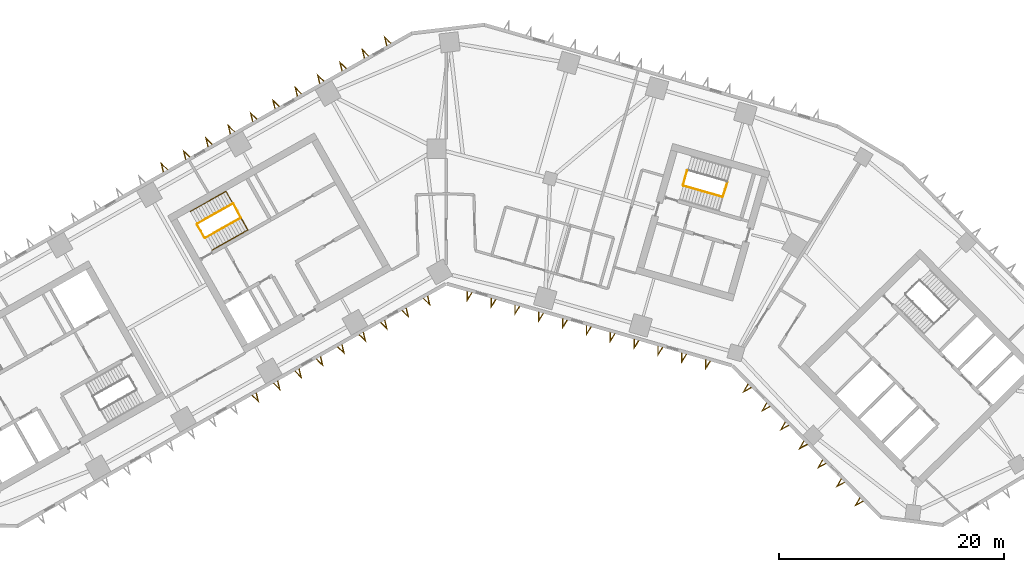
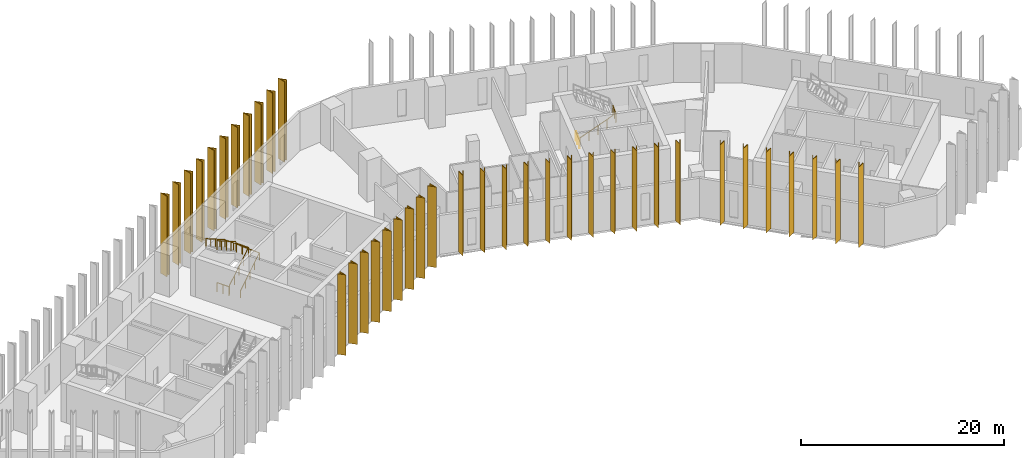
# One storey, part 10 of 11: 38 shading devices, 6 railings.
"""IFC4 building model written with IfcOpenShell, lengths in metres."""

from ifc_helpers import new_model, si_unit, direction, frame, origin, origin_2d, place, context, subcontext, project, spatial, polyline, circle, outline, extrude, material, type_object, element, save


model = new_model("IFC4")

# Units and contexts
model_context = context("Model", 3, precision=1e-05, world=origin(), true_north=direction((0.0, 1.0)))
body_context = subcontext(model_context, "Body", "Model", "MODEL_VIEW")
ifc_project = project(units=[si_unit("LENGTHUNIT", "METRE"), si_unit("AREAUNIT", "SQUARE_METRE"), si_unit("VOLUMEUNIT", "CUBIC_METRE"), si_unit("PLANEANGLEUNIT", "RADIAN"), si_unit("MASSUNIT", "GRAM", prefix="KILO")], contexts=[model_context])

# Site, building, storey
site_placement = place(None, origin())
site = spatial("IfcSite", under=ifc_project, at=site_placement, CompositionType="ELEMENT")
building_placement = place(site_placement, origin())
building = spatial("IfcBuilding", under=site, at=building_placement, Name="Binnacle Exchange Tower", CompositionType="ELEMENT")
storey_placement = place(building_placement, frame((0.0, 0.0, 36.5)))
storey = spatial("IfcBuildingStorey", under=building, at=storey_placement, Name="L07", CompositionType="ELEMENT", Elevation=36.5)

# Railings
ifc_material_1 = material(Name="Steel guard rail", Category="steel")
railing_type_1 = type_object("IfcRailingType", Name="STAIR GUARD 1100", PredefinedType="GUARDRAIL", material=ifc_material_1)
railing_1_placement = place(storey_placement, frame((-21.423828125, 52.07275390625, 0.178466796875)))
element("IfcRailing", 1, at=railing_1_placement, inside=storey, type_object=railing_type_1, Name="L07 STC1 stair guard 1", PredefinedType="GUARDRAIL", context=body_context, shape_type="SweptSolid", body=[
    extrude(circle(Radius=0.02392578125, at=origin_2d()), frame((0.0, 0.0, 1.076171875), z_axis=(0.733838880464, 0.415127627455, 0.537726278364), x_axis=(-0.492371057291, 0.870385398511, 0.0)), (0.0, 0.0, 1.0), 4.3173828125),
    extrude(circle(Radius=0.02392578125, at=origin_2d()), frame((3.168212890625, 1.792236328125, 3.3974609375), z_axis=(-0.461100321709, 0.887348011391, 0.0), x_axis=(-0.887348011391, -0.461100321709, 0.0)), (0.0, 0.0, 1.0), 1.40087890625),
    extrude(circle(Radius=0.02099609375, at=origin_2d()), origin(), (0.0, 0.0, 1.0), 1.052001953125),
    extrude(circle(Radius=0.02099609375, at=origin_2d()), frame((0.7919921875, 0.447998046875, 0.580322265625)), (0.0, 0.0, 1.0), 1.052001953125),
    extrude(circle(Radius=0.02099609375, at=origin_2d()), frame((1.583984375, 0.89599609375, 1.16064453125)), (0.0, 0.0, 1.0), 1.052001953125),
    extrude(circle(Radius=0.02099609375, at=origin_2d()), frame((2.376220703125, 1.34423828125, 1.7412109375)), (0.0, 0.0, 1.0), 1.052001953125),
    extrude(circle(Radius=0.02099609375, at=origin_2d()), frame((3.168212890625, 1.792236328125, 2.321533203125)), (0.0, 0.0, 1.0), 1.052001953125),
    extrude(circle(Radius=0.02099609375, at=origin_2d()), frame((2.84521484375, 2.413818359375, 2.321533203125)), (0.0, 0.0, 1.0), 1.052001953125),
    extrude(circle(Radius=0.02099609375, at=origin_2d()), frame((2.522216796875, 3.035400390625, 2.321533203125)), (0.0, 0.0, 1.0), 1.052001953125),
])
railing_2_placement = place(storey_placement, frame((-18.9697265625, 55.126953125, 2.678466796875)))
element("IfcRailing", 2, at=railing_2_placement, inside=storey, type_object=railing_type_1, Name="L07 STC1 stair guard 2", PredefinedType="GUARDRAIL", context=body_context, shape_type="SweptSolid", body=[
    extrude(circle(Radius=0.02392578125, at=origin_2d()), frame((0.0, 0.0, 1.076171875), z_axis=(-0.733812782489, -0.415144854829, 0.537748593457), x_axis=(0.492399802317, -0.870369137021, 0.0)), (0.0, 0.0, 1.0), 4.317138671875),
    extrude(circle(Radius=0.02099609375, at=origin_2d()), origin(), (0.0, 0.0, 1.0), 1.052001953125),
    extrude(circle(Radius=0.02099609375, at=origin_2d()), frame((-0.7919921875, -0.447998046875, 0.580322265625)), (0.0, 0.0, 1.0), 1.052001953125),
    extrude(circle(Radius=0.02099609375, at=origin_2d()), frame((-1.583984375, -0.89599609375, 1.16064453125)), (0.0, 0.0, 1.0), 1.052001953125),
    extrude(circle(Radius=0.02099609375, at=origin_2d()), frame((-2.3759765625, -1.34423828125, 1.7412109375)), (0.0, 0.0, 1.0), 1.052001953125),
    extrude(circle(Radius=0.02099609375, at=origin_2d()), frame((-3.16796875, -1.792236328125, 2.321533203125)), (0.0, 0.0, 1.0), 1.052001953125),
])
railing_3_placement = place(storey_placement, frame((-21.491943359375, 52.091552734375, 0.0)))
element("IfcRailing", 3, at=railing_3_placement, inside=storey, type_object=railing_type_1, Name="L07 STC1 stair guard 3", PredefinedType="GUARDRAIL", context=body_context, shape_type="SweptSolid", body=[
    extrude(circle(Radius=0.02392578125, at=origin_2d()), frame((0.0, 0.0, 1.076171875), z_axis=(-0.49241474071, 0.870360685654, 0.0), x_axis=(-0.870360685654, -0.49241474071, 0.0)), (0.0, 0.0, 1.0), 1.35009765625),
    extrude(circle(Radius=0.02099609375, at=origin_2d()), origin(), (0.0, 0.0, 1.0), 1.052001953125),
    extrude(circle(Radius=0.02099609375, at=origin_2d()), frame((-0.33251953125, 0.58740234375, 0.0)), (0.0, 0.0, 1.0), 1.052001953125),
    extrude(circle(Radius=0.02099609375, at=origin_2d()), frame((-0.664794921875, 1.175048828125, 0.0)), (0.0, 0.0, 1.0), 1.052001953125),
])
railing_4_placement = place(storey_placement, frame((21.086669921875, 56.71044921875, 0.178466796875)))
element("IfcRailing", 4, at=railing_4_placement, inside=storey, type_object=railing_type_1, Name="L07 STD1 stair guard 1", PredefinedType="GUARDRAIL", context=body_context, shape_type="SweptSolid", body=[
    extrude(circle(Radius=0.02392578125, at=origin_2d()), frame((0.0, 0.0, 1.076171875), z_axis=(0.810455892038, -0.232415135102, 0.537721537635), x_axis=(0.275659984683, 0.961255206927, 0.0)), (0.0, 0.0, 1.0), 4.3173828125),
    extrude(circle(Radius=0.02392578125, at=origin_2d()), frame((3.4990234375, -1.00341796875, 3.3974609375), z_axis=(0.309684985722, 0.950839213337, 0.0), x_axis=(-0.950839213337, 0.309684985722, 0.0)), (0.0, 0.0, 1.0), 1.40087890625),
    extrude(circle(Radius=0.02099609375, at=origin_2d()), origin(), (0.0, 0.0, 1.0), 1.052001953125),
    extrude(circle(Radius=0.02099609375, at=origin_2d()), frame((0.874755859375, -0.2509765625, 0.580322265625)), (0.0, 0.0, 1.0), 1.052001953125),
    extrude(circle(Radius=0.02099609375, at=origin_2d()), frame((1.74951171875, -0.501708984375, 1.16064453125)), (0.0, 0.0, 1.0), 1.052001953125),
    extrude(circle(Radius=0.02099609375, at=origin_2d()), frame((2.624267578125, -0.75244140625, 1.7412109375)), (0.0, 0.0, 1.0), 1.052001953125),
    extrude(circle(Radius=0.02099609375, at=origin_2d()), frame((3.4990234375, -1.00341796875, 2.321533203125)), (0.0, 0.0, 1.0), 1.052001953125),
    extrude(circle(Radius=0.02099609375, at=origin_2d()), frame((3.7158203125, -0.33740234375, 2.321533203125)), (0.0, 0.0, 1.0), 1.052001953125),
    extrude(circle(Radius=0.02099609375, at=origin_2d()), frame((3.932861328125, 0.32861328125, 2.321533203125)), (0.0, 0.0, 1.0), 1.052001953125),
])
railing_5_placement = place(storey_placement, frame((21.05224609375, 56.772216796875, 0.0)))
element("IfcRailing", 5, at=railing_5_placement, inside=storey, type_object=railing_type_1, Name="L07 STD1 stair guard 3", PredefinedType="GUARDRAIL", context=body_context, shape_type="SweptSolid", body=[
    extrude(circle(Radius=0.02392578125, at=origin_2d()), frame((0.0, 0.0, 1.076171875), z_axis=(0.275795817769, 0.961216243569, 0.0), x_axis=(-0.961216243569, 0.275795817769, 0.0)), (0.0, 0.0, 1.0), 1.349853515625),
    extrude(circle(Radius=0.02099609375, at=origin_2d()), origin(), (0.0, 0.0, 1.0), 1.052001953125),
    extrude(circle(Radius=0.02099609375, at=origin_2d()), frame((0.18603515625, 0.64892578125, 0.0)), (0.0, 0.0, 1.0), 1.052001953125),
    extrude(circle(Radius=0.02099609375, at=origin_2d()), frame((0.372314453125, 1.297607421875, 0.0)), (0.0, 0.0, 1.0), 1.052001953125),
])
ifc_material_2 = material(Name="Steel handrail", Category="steel")
railing_type_2 = type_object("IfcRailingType", Name="STAIR HANDRAIL 900", PredefinedType="HANDRAIL", material=ifc_material_2)
railing_6_placement = place(storey_placement, frame((-20.808349609375, 50.984619140625, 0.178466796875)))
element("IfcRailing", 6, at=railing_6_placement, inside=storey, type_object=railing_type_2, Name="L07 STC1 stair handrail 1", PredefinedType="HANDRAIL", context=body_context, shape_type="SweptSolid", body=[
    extrude(circle(Radius=0.02392578125, at=origin_2d()), frame((0.0, 0.0, 0.8759765625), z_axis=(0.733821652932, 0.415174429824, 0.537713654753), x_axis=(-0.492421866095, 0.870356654361, 0.0)), (0.0, 0.0, 1.0), 4.3173828125),
    extrude(circle(Radius=0.02392578125, at=origin_2d()), frame((3.168212890625, 1.79248046875, 3.197265625), z_axis=(-0.491911810019, 0.86947434526, 0.045134621956), x_axis=(-0.870361318571, -0.492413622004, 0.0)), (0.0, 0.0, 1.0), 3.9541015625),
    extrude(circle(Radius=0.02392578125, at=origin_2d()), frame((1.22314453125, 5.23046875, 3.3759765625), z_axis=(-0.733821652932, -0.415174429824, 0.537713654753), x_axis=(0.492421866095, -0.870356654361, 0.0)), (0.0, 0.0, 1.0), 4.3173828125),
    extrude(circle(Radius=0.02099609375, at=origin_2d()), origin(), (0.0, 0.0, 1.0), 0.851806640625),
    extrude(circle(Radius=0.02099609375, at=origin_2d()), frame((0.7919921875, 0.4482421875, 0.580322265625)), (0.0, 0.0, 1.0), 0.851806640625),
    extrude(circle(Radius=0.02099609375, at=origin_2d()), frame((1.583984375, 0.896240234375, 1.16064453125)), (0.0, 0.0, 1.0), 0.851806640625),
    extrude(circle(Radius=0.02099609375, at=origin_2d()), frame((2.376220703125, 1.34423828125, 1.7412109375)), (0.0, 0.0, 1.0), 0.851806640625),
    extrude(circle(Radius=0.02099609375, at=origin_2d()), frame((3.168212890625, 1.79248046875, 2.321533203125)), (0.0, 0.0, 1.0), 0.851806640625),
    extrude(circle(Radius=0.02099609375, at=origin_2d()), frame((2.681884765625, 2.65185546875, 2.3662109375)), (0.0, 0.0, 1.0), 0.851806640625),
    extrude(circle(Radius=0.02099609375, at=origin_2d()), frame((2.19580078125, 3.511474609375, 2.41064453125)), (0.0, 0.0, 1.0), 0.851806640625),
    extrude(circle(Radius=0.02099609375, at=origin_2d()), frame((1.70947265625, 4.37109375, 2.455322265625)), (0.0, 0.0, 1.0), 0.851806640625),
    extrude(circle(Radius=0.02099609375, at=origin_2d()), frame((1.22314453125, 5.23046875, 2.5)), (0.0, 0.0, 1.0), 0.851806640625),
    extrude(circle(Radius=0.02099609375, at=origin_2d()), frame((0.43115234375, 4.7822265625, 3.080322265625)), (0.0, 0.0, 1.0), 0.851806640625),
    extrude(circle(Radius=0.02099609375, at=origin_2d()), frame((-0.36083984375, 4.334228515625, 3.66064453125)), (0.0, 0.0, 1.0), 0.851806640625),
    extrude(circle(Radius=0.02099609375, at=origin_2d()), frame((-1.153076171875, 3.88623046875, 4.2412109375)), (0.0, 0.0, 1.0), 0.851806640625),
    extrude(circle(Radius=0.02099609375, at=origin_2d()), frame((-1.945068359375, 3.43798828125, 4.821533203125)), (0.0, 0.0, 1.0), 0.851806640625),
])

# Shading devices
ifc_material_3 = material(Name="Bronze aluminium cladding", Category="aluminium")
shading_device_type = type_object("IfcShadingDeviceType", Name="V FIN 867 DEEP x 9680 HIGH", PredefinedType="USERDEFINED", material=ifc_material_3)
shading_device_1_placement = place(storey_placement, origin())
element("IfcShadingDevice", 7, at=shading_device_1_placement, inside=storey, type_object=shading_device_type, Name="V fin FN-F03-01 L07", ObjectType="FIN", PredefinedType="USERDEFINED", context=body_context, shape_type="SweptSolid", body=[
    extrude(outline(polyline([(-4.88916015625, 69.40625), (-5.53369140625, 70.03759765625), (-5.32421875, 69.159912109375), (-5.251708984375, 69.200927734375), (-5.391357421875, 69.786376953125), (-4.961669921875, 69.365234375), (-4.88916015625, 69.40625)])), origin(), (0.0, 0.0, 1.0), 9.679931640625),
])
shading_device_2_placement = place(storey_placement, origin())
element("IfcShadingDevice", 8, at=shading_device_2_placement, inside=storey, type_object=shading_device_type, Name="V fin FN-F03-02 L07", ObjectType="FIN", PredefinedType="USERDEFINED", context=body_context, shape_type="SweptSolid", body=[
    extrude(outline(polyline([(-6.87548828125, 68.2822265625), (-7.52001953125, 68.913818359375), (-7.310791015625, 68.0361328125), (-7.23828125, 68.0771484375), (-7.3779296875, 68.66259765625), (-6.947998046875, 68.2412109375), (-6.87548828125, 68.2822265625)])), origin(), (0.0, 0.0, 1.0), 9.679931640625),
])
shading_device_3_placement = place(storey_placement, origin())
element("IfcShadingDevice", 9, at=shading_device_3_placement, inside=storey, type_object=shading_device_type, Name="V fin FN-F03-03 L07", ObjectType="FIN", PredefinedType="USERDEFINED", context=body_context, shape_type="SweptSolid", body=[
    extrude(outline(polyline([(-8.862060546875, 67.158203125), (-9.506591796875, 67.789794921875), (-9.29736328125, 66.912109375), (-9.224853515625, 66.953125), (-9.364501953125, 67.53857421875), (-8.9345703125, 67.1171875), (-8.862060546875, 67.158203125)])), origin(), (0.0, 0.0, 1.0), 9.679931640625),
])
shading_device_4_placement = place(storey_placement, origin())
element("IfcShadingDevice", 10, at=shading_device_4_placement, inside=storey, type_object=shading_device_type, Name="V fin FN-F03-04 L07", ObjectType="FIN", PredefinedType="USERDEFINED", context=body_context, shape_type="SweptSolid", body=[
    extrude(outline(polyline([(-10.8486328125, 66.034423828125), (-11.4931640625, 66.666015625), (-11.283935546875, 65.7880859375), (-11.21142578125, 65.8291015625), (-11.35107421875, 66.41455078125), (-10.921142578125, 65.993408203125), (-10.8486328125, 66.034423828125)])), origin(), (0.0, 0.0, 1.0), 9.679931640625),
])
shading_device_5_placement = place(storey_placement, origin())
element("IfcShadingDevice", 11, at=shading_device_5_placement, inside=storey, type_object=shading_device_type, Name="V fin FN-F03-05 L07", ObjectType="FIN", PredefinedType="USERDEFINED", context=body_context, shape_type="SweptSolid", body=[
    extrude(outline(polyline([(-12.835205078125, 64.910400390625), (-13.479736328125, 65.5419921875), (-13.2705078125, 64.664306640625), (-13.197998046875, 64.705322265625), (-13.33740234375, 65.290771484375), (-12.90771484375, 64.869384765625), (-12.835205078125, 64.910400390625)])), origin(), (0.0, 0.0, 1.0), 9.679931640625),
])
shading_device_6_placement = place(storey_placement, origin())
element("IfcShadingDevice", 12, at=shading_device_6_placement, inside=storey, type_object=shading_device_type, Name="V fin FN-F03-06 L07", ObjectType="FIN", PredefinedType="USERDEFINED", context=body_context, shape_type="SweptSolid", body=[
    extrude(outline(polyline([(-14.82177734375, 63.78662109375), (-15.46630859375, 64.41796875), (-15.257080078125, 63.540283203125), (-15.1845703125, 63.581298828125), (-15.32421875, 64.166748046875), (-14.894287109375, 63.74560546875), (-14.82177734375, 63.78662109375)])), origin(), (0.0, 0.0, 1.0), 9.679931640625),
])
shading_device_7_placement = place(storey_placement, origin())
element("IfcShadingDevice", 13, at=shading_device_7_placement, inside=storey, type_object=shading_device_type, Name="V fin FN-F03-07 L07", ObjectType="FIN", PredefinedType="USERDEFINED", context=body_context, shape_type="SweptSolid", body=[
    extrude(outline(polyline([(-16.808349609375, 62.66259765625), (-17.452880859375, 63.294189453125), (-17.243408203125, 62.41650390625), (-17.1708984375, 62.45751953125), (-17.310546875, 63.042724609375), (-16.880859375, 62.62158203125), (-16.808349609375, 62.66259765625)])), origin(), (0.0, 0.0, 1.0), 9.679931640625),
])
shading_device_8_placement = place(storey_placement, origin())
element("IfcShadingDevice", 14, at=shading_device_8_placement, inside=storey, type_object=shading_device_type, Name="V fin FN-F03-08 L07", ObjectType="FIN", PredefinedType="USERDEFINED", context=body_context, shape_type="SweptSolid", body=[
    extrude(outline(polyline([(-18.794921875, 61.53857421875), (-19.439453125, 62.170166015625), (-19.22998046875, 61.29248046875), (-19.15771484375, 61.33349609375), (-19.297119140625, 61.918701171875), (-18.867431640625, 61.49755859375), (-18.794921875, 61.53857421875)])), origin(), (0.0, 0.0, 1.0), 9.679931640625),
])
shading_device_9_placement = place(storey_placement, origin())
element("IfcShadingDevice", 15, at=shading_device_9_placement, inside=storey, type_object=shading_device_type, Name="V fin FN-F03-09 L07", ObjectType="FIN", PredefinedType="USERDEFINED", context=body_context, shape_type="SweptSolid", body=[
    extrude(outline(polyline([(-20.781494140625, 60.414794921875), (-21.426025390625, 61.046142578125), (-21.216796875, 60.16845703125), (-21.144287109375, 60.20947265625), (-21.28369140625, 60.794921875), (-20.85400390625, 60.373779296875), (-20.781494140625, 60.414794921875)])), origin(), (0.0, 0.0, 1.0), 9.679931640625),
])
shading_device_10_placement = place(storey_placement, origin())
element("IfcShadingDevice", 16, at=shading_device_10_placement, inside=storey, type_object=shading_device_type, Name="V fin FN-F03-10 L07", ObjectType="FIN", PredefinedType="USERDEFINED", context=body_context, shape_type="SweptSolid", body=[
    extrude(outline(polyline([(-22.76806640625, 59.290771484375), (-23.41259765625, 59.92236328125), (-23.203125, 59.044677734375), (-23.130615234375, 59.085693359375), (-23.270263671875, 59.6708984375), (-22.840576171875, 59.249755859375), (-22.76806640625, 59.290771484375)])), origin(), (0.0, 0.0, 1.0), 9.679931640625),
])
shading_device_11_placement = place(storey_placement, origin())
element("IfcShadingDevice", 17, at=shading_device_11_placement, inside=storey, type_object=shading_device_type, Name="V fin FN-F03-11 L07", ObjectType="FIN", PredefinedType="USERDEFINED", context=body_context, shape_type="SweptSolid", body=[
    extrude(outline(polyline([(-24.754638671875, 58.166748046875), (-25.399169921875, 58.79833984375), (-25.189697265625, 57.920654296875), (-25.1171875, 57.961669921875), (-25.2568359375, 58.547119140625), (-24.8271484375, 58.125732421875), (-24.754638671875, 58.166748046875)])), origin(), (0.0, 0.0, 1.0), 9.679931640625),
])
shading_device_12_placement = place(storey_placement, origin())
element("IfcShadingDevice", 18, at=shading_device_12_placement, inside=storey, type_object=shading_device_type, Name="V fin FN-F07-11 L07", ObjectType="FIN", PredefinedType="USERDEFINED", context=body_context, shape_type="SweptSolid", body=[
    extrude(outline(polyline([(-17.28759765625, 38.046875), (-16.643310546875, 37.415283203125), (-16.8525390625, 38.29296875), (-16.925048828125, 38.251953125), (-16.785400390625, 37.66650390625), (-17.215087890625, 38.087890625), (-17.28759765625, 38.046875)])), origin(), (0.0, 0.0, 1.0), 9.679931640625),
])
shading_device_13_placement = place(storey_placement, origin())
element("IfcShadingDevice", 19, at=shading_device_13_placement, inside=storey, type_object=shading_device_type, Name="V fin FN-F07-12 L07", ObjectType="FIN", PredefinedType="USERDEFINED", context=body_context, shape_type="SweptSolid", body=[
    extrude(outline(polyline([(-15.3828125, 39.12451171875), (-14.73828125, 38.492919921875), (-14.94775390625, 39.37060546875), (-15.020263671875, 39.32958984375), (-14.880615234375, 38.744384765625), (-15.310302734375, 39.16552734375), (-15.3828125, 39.12451171875)])), origin(), (0.0, 0.0, 1.0), 9.679931640625),
])
shading_device_14_placement = place(storey_placement, origin())
element("IfcShadingDevice", 20, at=shading_device_14_placement, inside=storey, type_object=shading_device_type, Name="V fin FN-F07-13 L07", ObjectType="FIN", PredefinedType="USERDEFINED", context=body_context, shape_type="SweptSolid", body=[
    extrude(outline(polyline([(-13.477783203125, 40.2021484375), (-12.83349609375, 39.57080078125), (-13.042724609375, 40.448486328125), (-13.115234375, 40.407470703125), (-12.9755859375, 39.822021484375), (-13.405517578125, 40.2431640625), (-13.477783203125, 40.2021484375)])), origin(), (0.0, 0.0, 1.0), 9.679931640625),
])
shading_device_15_placement = place(storey_placement, origin())
element("IfcShadingDevice", 21, at=shading_device_15_placement, inside=storey, type_object=shading_device_type, Name="V fin FN-F07-14 L07", ObjectType="FIN", PredefinedType="USERDEFINED", context=body_context, shape_type="SweptSolid", body=[
    extrude(outline(polyline([(-11.572998046875, 41.280029296875), (-10.928466796875, 40.6484375), (-11.1376953125, 41.526123046875), (-11.210205078125, 41.485107421875), (-11.07080078125, 40.89990234375), (-11.50048828125, 41.321044921875), (-11.572998046875, 41.280029296875)])), origin(), (0.0, 0.0, 1.0), 9.679931640625),
])
shading_device_16_placement = place(storey_placement, origin())
element("IfcShadingDevice", 22, at=shading_device_16_placement, inside=storey, type_object=shading_device_type, Name="V fin FN-F07-15 L07", ObjectType="FIN", PredefinedType="USERDEFINED", context=body_context, shape_type="SweptSolid", body=[
    extrude(outline(polyline([(-9.668212890625, 42.357666015625), (-9.023681640625, 41.726318359375), (-9.23291015625, 42.60400390625), (-9.305419921875, 42.56298828125), (-9.166015625, 41.9775390625), (-9.595703125, 42.398681640625), (-9.668212890625, 42.357666015625)])), origin(), (0.0, 0.0, 1.0), 9.679931640625),
])
shading_device_17_placement = place(storey_placement, origin())
element("IfcShadingDevice", 23, at=shading_device_17_placement, inside=storey, type_object=shading_device_type, Name="V fin FN-F07-16 L07", ObjectType="FIN", PredefinedType="USERDEFINED", context=body_context, shape_type="SweptSolid", body=[
    extrude(outline(polyline([(-7.76318359375, 43.435302734375), (-7.11865234375, 42.803955078125), (-7.327880859375, 43.681640625), (-7.400390625, 43.640625), (-7.260986328125, 43.05517578125), (-7.690673828125, 43.476318359375), (-7.76318359375, 43.435302734375)])), origin(), (0.0, 0.0, 1.0), 9.679931640625),
])
shading_device_18_placement = place(storey_placement, origin())
element("IfcShadingDevice", 24, at=shading_device_18_placement, inside=storey, type_object=shading_device_type, Name="V fin FN-F07-17 L07", ObjectType="FIN", PredefinedType="USERDEFINED", context=body_context, shape_type="SweptSolid", body=[
    extrude(outline(polyline([(-5.8583984375, 44.51318359375), (-5.2138671875, 43.881591796875), (-5.423095703125, 44.759521484375), (-5.49560546875, 44.718505859375), (-5.356201171875, 44.133056640625), (-5.785888671875, 44.55419921875), (-5.8583984375, 44.51318359375)])), origin(), (0.0, 0.0, 1.0), 9.679931640625),
])
shading_device_19_placement = place(storey_placement, origin())
element("IfcShadingDevice", 25, at=shading_device_19_placement, inside=storey, type_object=shading_device_type, Name="V fin FN-F07-18 L07", ObjectType="FIN", PredefinedType="USERDEFINED", context=body_context, shape_type="SweptSolid", body=[
    extrude(outline(polyline([(-3.95361328125, 45.5908203125), (-3.30908203125, 44.95947265625), (-3.518310546875, 45.837158203125), (-3.5908203125, 45.796142578125), (-3.451171875, 45.210693359375), (-3.881103515625, 45.6318359375), (-3.95361328125, 45.5908203125)])), origin(), (0.0, 0.0, 1.0), 9.679931640625),
])
shading_device_20_placement = place(storey_placement, origin())
element("IfcShadingDevice", 26, at=shading_device_20_placement, inside=storey, type_object=shading_device_type, Name="V fin FN-F07-19 L07", ObjectType="FIN", PredefinedType="USERDEFINED", context=body_context, shape_type="SweptSolid", body=[
    extrude(outline(polyline([(-2.048583984375, 46.668701171875), (-1.404052734375, 46.037109375), (-1.61328125, 46.914794921875), (-1.685791015625, 46.873779296875), (-1.54638671875, 46.28857421875), (-1.97607421875, 46.709716796875), (-2.048583984375, 46.668701171875)])), origin(), (0.0, 0.0, 1.0), 9.679931640625),
])
shading_device_21_placement = place(storey_placement, origin())
element("IfcShadingDevice", 27, at=shading_device_21_placement, inside=storey, type_object=shading_device_type, Name="V fin FN-F08-01 L07", ObjectType="FIN", PredefinedType="USERDEFINED", context=body_context, shape_type="SweptSolid", body=[
    extrude(outline(polyline([(1.837890625, 47.31689453125), (1.83935546875, 46.41455078125), (2.318603515625, 47.17919921875), (2.238525390625, 47.201904296875), (1.9189453125, 46.692138671875), (1.91796875, 47.2939453125), (1.837890625, 47.31689453125)])), origin(), (0.0, 0.0, 1.0), 9.679931640625),
])
shading_device_22_placement = place(storey_placement, origin())
element("IfcShadingDevice", 28, at=shading_device_22_placement, inside=storey, type_object=shading_device_type, Name="V fin FN-F08-02 L07", ObjectType="FIN", PredefinedType="USERDEFINED", context=body_context, shape_type="SweptSolid", body=[
    extrude(outline(polyline([(3.957763671875, 46.708984375), (3.958984375, 45.806884765625), (4.438232421875, 46.5712890625), (4.3583984375, 46.59423828125), (4.03857421875, 46.084228515625), (4.03759765625, 46.686279296875), (3.957763671875, 46.708984375)])), origin(), (0.0, 0.0, 1.0), 9.679931640625),
])
shading_device_23_placement = place(storey_placement, origin())
element("IfcShadingDevice", 29, at=shading_device_23_placement, inside=storey, type_object=shading_device_type, Name="V fin FN-F08-03 L07", ObjectType="FIN", PredefinedType="USERDEFINED", context=body_context, shape_type="SweptSolid", body=[
    extrude(outline(polyline([(6.077392578125, 46.101318359375), (6.07861328125, 45.198974609375), (6.55810546875, 45.96337890625), (6.47802734375, 45.986328125), (6.158203125, 45.4765625), (6.157470703125, 46.078369140625), (6.077392578125, 46.101318359375)])), origin(), (0.0, 0.0, 1.0), 9.679931640625),
])
shading_device_24_placement = place(storey_placement, origin())
element("IfcShadingDevice", 30, at=shading_device_24_placement, inside=storey, type_object=shading_device_type, Name="V fin FN-F08-04 L07", ObjectType="FIN", PredefinedType="USERDEFINED", context=body_context, shape_type="SweptSolid", body=[
    extrude(outline(polyline([(8.197021484375, 45.493408203125), (8.198486328125, 44.59130859375), (8.677734375, 45.355712890625), (8.59765625, 45.378662109375), (8.278076171875, 44.86865234375), (8.277099609375, 45.470703125), (8.197021484375, 45.493408203125)])), origin(), (0.0, 0.0, 1.0), 9.679931640625),
])
shading_device_25_placement = place(storey_placement, origin())
element("IfcShadingDevice", 31, at=shading_device_25_placement, inside=storey, type_object=shading_device_type, Name="V fin FN-F08-05 L07", ObjectType="FIN", PredefinedType="USERDEFINED", context=body_context, shape_type="SweptSolid", body=[
    extrude(outline(polyline([(10.316650390625, 44.8857421875), (10.318115234375, 43.9833984375), (10.79736328125, 44.747802734375), (10.71728515625, 44.770751953125), (10.397705078125, 44.260986328125), (10.396728515625, 44.86279296875), (10.316650390625, 44.8857421875)])), origin(), (0.0, 0.0, 1.0), 9.679931640625),
])
shading_device_26_placement = place(storey_placement, origin())
element("IfcShadingDevice", 32, at=shading_device_26_placement, inside=storey, type_object=shading_device_type, Name="V fin FN-F08-06 L07", ObjectType="FIN", PredefinedType="USERDEFINED", context=body_context, shape_type="SweptSolid", body=[
    extrude(outline(polyline([(12.436279296875, 44.27783203125), (12.437744140625, 43.37548828125), (12.9169921875, 44.14013671875), (12.8369140625, 44.1630859375), (12.517333984375, 43.653076171875), (12.516357421875, 44.2548828125), (12.436279296875, 44.27783203125)])), origin(), (0.0, 0.0, 1.0), 9.679931640625),
])
shading_device_27_placement = place(storey_placement, origin())
element("IfcShadingDevice", 33, at=shading_device_27_placement, inside=storey, type_object=shading_device_type, Name="V fin FN-F08-07 L07", ObjectType="FIN", PredefinedType="USERDEFINED", context=body_context, shape_type="SweptSolid", body=[
    extrude(outline(polyline([(14.55615234375, 43.670166015625), (14.557373046875, 42.767822265625), (15.03662109375, 43.5322265625), (14.956787109375, 43.55517578125), (14.636962890625, 43.04541015625), (14.635986328125, 43.647216796875), (14.55615234375, 43.670166015625)])), origin(), (0.0, 0.0, 1.0), 9.679931640625),
])
shading_device_28_placement = place(storey_placement, origin())
element("IfcShadingDevice", 34, at=shading_device_28_placement, inside=storey, type_object=shading_device_type, Name="V fin FN-F08-08 L07", ObjectType="FIN", PredefinedType="USERDEFINED", context=body_context, shape_type="SweptSolid", body=[
    extrude(outline(polyline([(16.67578125, 43.062255859375), (16.677001953125, 42.159912109375), (17.156494140625, 42.924560546875), (17.076416015625, 42.947509765625), (16.756591796875, 42.4375), (16.755859375, 43.039306640625), (16.67578125, 43.062255859375)])), origin(), (0.0, 0.0, 1.0), 9.679931640625),
])
shading_device_29_placement = place(storey_placement, origin())
element("IfcShadingDevice", 35, at=shading_device_29_placement, inside=storey, type_object=shading_device_type, Name="V fin FN-F08-09 L07", ObjectType="FIN", PredefinedType="USERDEFINED", context=body_context, shape_type="SweptSolid", body=[
    extrude(outline(polyline([(18.79541015625, 42.454345703125), (18.796875, 41.552001953125), (19.276123046875, 42.316650390625), (19.196044921875, 42.339599609375), (18.87646484375, 41.82958984375), (18.87548828125, 42.431396484375), (18.79541015625, 42.454345703125)])), origin(), (0.0, 0.0, 1.0), 9.679931640625),
])
shading_device_30_placement = place(storey_placement, origin())
element("IfcShadingDevice", 36, at=shading_device_30_placement, inside=storey, type_object=shading_device_type, Name="V fin FN-F08-10 L07", ObjectType="FIN", PredefinedType="USERDEFINED", context=body_context, shape_type="SweptSolid", body=[
    extrude(outline(polyline([(20.9150390625, 41.8466796875), (20.91650390625, 40.9443359375), (21.395751953125, 41.708740234375), (21.315673828125, 41.731689453125), (20.99609375, 41.2216796875), (20.9951171875, 41.82373046875), (20.9150390625, 41.8466796875)])), origin(), (0.0, 0.0, 1.0), 9.679931640625),
])
shading_device_31_placement = place(storey_placement, origin())
element("IfcShadingDevice", 37, at=shading_device_31_placement, inside=storey, type_object=shading_device_type, Name="V fin FN-F08-11 L07", ObjectType="FIN", PredefinedType="USERDEFINED", context=body_context, shape_type="SweptSolid", body=[
    extrude(outline(polyline([(23.034912109375, 41.23876953125), (23.0361328125, 40.33642578125), (23.515380859375, 41.10107421875), (23.435302734375, 41.123779296875), (23.11572265625, 40.614013671875), (23.11474609375, 41.2158203125), (23.034912109375, 41.23876953125)])), origin(), (0.0, 0.0, 1.0), 9.679931640625),
])
shading_device_32_placement = place(storey_placement, origin())
element("IfcShadingDevice", 38, at=shading_device_32_placement, inside=storey, type_object=shading_device_type, Name="V fin FN-F09-01 L07", ObjectType="FIN", PredefinedType="USERDEFINED", context=body_context, shape_type="SweptSolid", body=[
    extrude(outline(polyline([(26.810791015625, 39.093505859375), (26.367431640625, 38.3076171875), (27.1611328125, 38.73681640625), (27.102783203125, 38.79638671875), (26.573486328125, 38.510009765625), (26.868896484375, 39.0341796875), (26.810791015625, 39.093505859375)])), origin(), (0.0, 0.0, 1.0), 9.679931640625),
])
shading_device_33_placement = place(storey_placement, origin())
element("IfcShadingDevice", 39, at=shading_device_33_placement, inside=storey, type_object=shading_device_type, Name="V fin FN-F09-02 L07", ObjectType="FIN", PredefinedType="USERDEFINED", context=body_context, shape_type="SweptSolid", body=[
    extrude(outline(polyline([(28.467529296875, 37.407470703125), (28.0244140625, 36.621337890625), (28.818115234375, 37.05078125), (28.759765625, 37.110107421875), (28.23046875, 36.82373046875), (28.52587890625, 37.347900390625), (28.467529296875, 37.407470703125)])), origin(), (0.0, 0.0, 1.0), 9.679931640625),
])
shading_device_34_placement = place(storey_placement, origin())
element("IfcShadingDevice", 40, at=shading_device_34_placement, inside=storey, type_object=shading_device_type, Name="V fin FN-F09-03 L07", ObjectType="FIN", PredefinedType="USERDEFINED", context=body_context, shape_type="SweptSolid", body=[
    extrude(outline(polyline([(30.12451171875, 35.721435546875), (29.68115234375, 34.935546875), (30.474853515625, 35.364990234375), (30.41650390625, 35.42431640625), (29.88720703125, 35.137939453125), (30.1826171875, 35.662109375), (30.12451171875, 35.721435546875)])), origin(), (0.0, 0.0, 1.0), 9.679931640625),
])
shading_device_35_placement = place(storey_placement, origin())
element("IfcShadingDevice", 41, at=shading_device_35_placement, inside=storey, type_object=shading_device_type, Name="V fin FN-F09-04 L07", ObjectType="FIN", PredefinedType="USERDEFINED", context=body_context, shape_type="SweptSolid", body=[
    extrude(outline(polyline([(31.78125, 34.035400390625), (31.338134765625, 33.24951171875), (32.131591796875, 33.6787109375), (32.073486328125, 33.73828125), (31.544189453125, 33.451904296875), (31.839599609375, 33.97607421875), (31.78125, 34.035400390625)])), origin(), (0.0, 0.0, 1.0), 9.679931640625),
])
shading_device_36_placement = place(storey_placement, origin())
element("IfcShadingDevice", 42, at=shading_device_36_placement, inside=storey, type_object=shading_device_type, Name="V fin FN-F09-05 L07", ObjectType="FIN", PredefinedType="USERDEFINED", context=body_context, shape_type="SweptSolid", body=[
    extrude(outline(polyline([(33.43798828125, 32.349365234375), (32.994873046875, 31.5634765625), (33.78857421875, 31.992919921875), (33.730224609375, 32.05224609375), (33.200927734375, 31.765869140625), (33.496337890625, 32.2900390625), (33.43798828125, 32.349365234375)])), origin(), (0.0, 0.0, 1.0), 9.679931640625),
])
shading_device_37_placement = place(storey_placement, origin())
element("IfcShadingDevice", 43, at=shading_device_37_placement, inside=storey, type_object=shading_device_type, Name="V fin FN-F09-06 L07", ObjectType="FIN", PredefinedType="USERDEFINED", context=body_context, shape_type="SweptSolid", body=[
    extrude(outline(polyline([(35.094970703125, 30.663330078125), (34.65185546875, 29.87744140625), (35.4453125, 30.306884765625), (35.38720703125, 30.3662109375), (34.85791015625, 30.079833984375), (35.1533203125, 30.60400390625), (35.094970703125, 30.663330078125)])), origin(), (0.0, 0.0, 1.0), 9.679931640625),
])
shading_device_38_placement = place(storey_placement, origin())
element("IfcShadingDevice", 44, at=shading_device_38_placement, inside=storey, type_object=shading_device_type, Name="V fin FN-F09-07 L07", ObjectType="FIN", PredefinedType="USERDEFINED", context=body_context, shape_type="SweptSolid", body=[
    extrude(outline(polyline([(36.751708984375, 28.977294921875), (36.30859375, 28.19140625), (37.102294921875, 28.620849609375), (37.0439453125, 28.68017578125), (36.5146484375, 28.393798828125), (36.81005859375, 28.91796875), (36.751708984375, 28.977294921875)])), origin(), (0.0, 0.0, 1.0), 9.679931640625),
])

save(model, "model.ifc")
